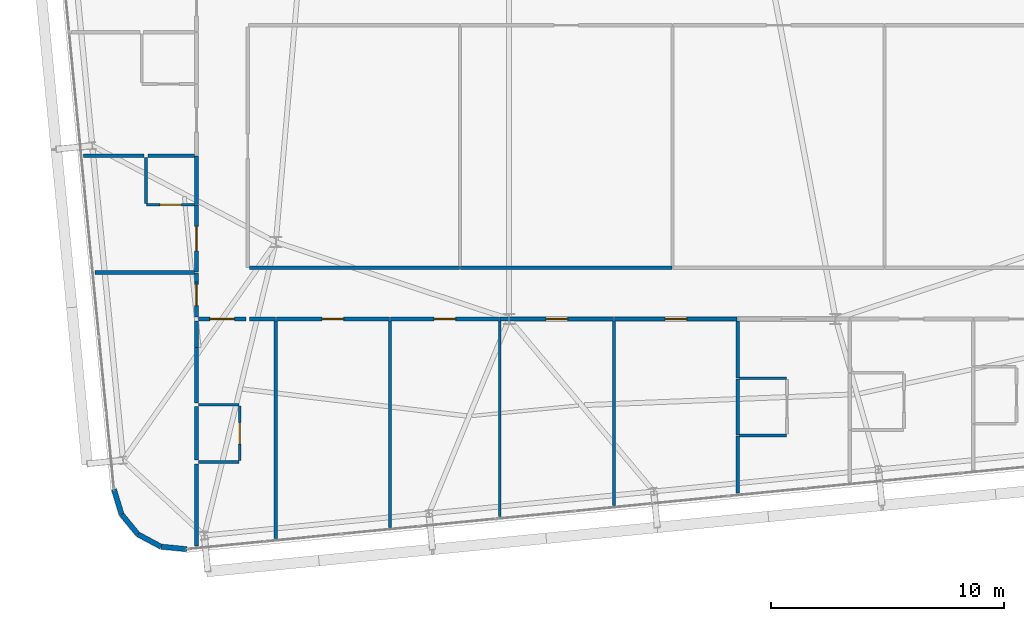
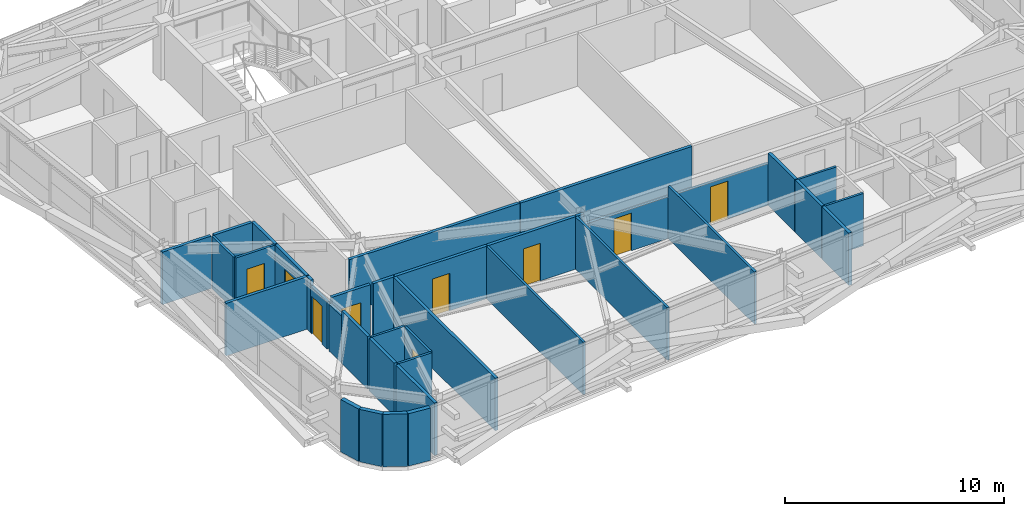
# One storey, part 46 of 53: 38 walls, 9 doors, 9 openings.
"""IFC4 building model written with IfcOpenShell, lengths in metres."""

from ifc_helpers import new_model, si_unit, direction, frame, frame_2d, origin, place, context, subcontext, project, spatial, rectangle, extrude, source, transform, mapped, material, layer, layer_set, type_object, element, fill, save


model = new_model("IFC4")

# Units and contexts
model_context = context("Model", 3, precision=1e-05, world=origin(), true_north=direction((0.0, 1.0)))
body_context = subcontext(model_context, "Body", "Model", "MODEL_VIEW")
ifc_project = project(units=[si_unit("LENGTHUNIT", "METRE"), si_unit("AREAUNIT", "SQUARE_METRE"), si_unit("VOLUMEUNIT", "CUBIC_METRE"), si_unit("PLANEANGLEUNIT", "RADIAN"), si_unit("MASSUNIT", "GRAM", prefix="KILO")], contexts=[model_context])

# Site, building, storey
site_placement = place(None, origin())
site = spatial("IfcSite", under=ifc_project, at=site_placement, CompositionType="ELEMENT")
building_placement = place(site_placement, origin())
building = spatial("IfcBuilding", under=site, at=building_placement, Name="Taldren Reach Tower", CompositionType="ELEMENT")
storey_placement = place(building_placement, frame((0.0, 0.0, 68.25)))
storey = spatial("IfcBuildingStorey", under=building, at=storey_placement, Name="L20", CompositionType="ELEMENT", Elevation=68.25)

# Walls
ifc_material_1 = material(Name="Pale Champagne Anodised Aluminium Cladding", Category="aluminium")
ifc_layer_1 = layer(ifc_material_1, 0.04, Name="Pale Champagne Anodised Aluminium Cladding", Category="aluminium")
ifc_material_2 = material(Name="Mineral Wool Acoustic Insulation", Category="insulation")
ifc_layer_2 = layer(ifc_material_2, 0.06, Name="Mineral Wool Acoustic Insulation", Category="insulation")
ifc_material_3 = material(Name="Steel Gr 350 (C350L0)", Category="steel")
ifc_layer_3 = layer(ifc_material_3, 0.12, Name="Steel Gr 350 (C350L0)", Category="steel")
ifc_layer_set_1 = layer_set([ifc_layer_1, ifc_layer_2, ifc_layer_3], Name="Pale Champagne Aluminium Cladding and Steel Gr 350 Stud Framing")
wall_type_1 = type_object("IfcWallType", Name="EW-CRN-220", PredefinedType="SOLIDWALL", material=ifc_layer_set_1)
shared_shape_1 = source(origin(), body_context, "Body", "SweptSolid", [
    extrude(rectangle(XDim=1.115966796875, YDim=0.219970703125, at=frame_2d((0.55810546875, 0.0))), origin(), (0.0, 0.0, 1.0), 2.929931640625),
])
for number, where, z_axis, x_axis, name in (
    (1, (11.062255859375, 1.90185546875, 0.0), (0.0, 0.0, 1.0), (0.289855603468, -0.957070388811, 0.0), "Rounded-corner pale-metal facade wall L20-SW1"),
    (2, (11.3857421875, 0.833740234375, 0.0), (0.0, 0.0, 1.0), (0.633988016432, -0.773342870285, 0.0), "Rounded-corner pale-metal facade wall L20-SW2"),
    (3, (13.0771484375, -0.5556640625, 0.0), (0.0, 0.0, 1.0), (0.995142755671, -0.09844234778, 0.0), "Rounded-corner pale-metal facade wall L20-SW4"),
):
    element("IfcWall", number, at=place(storey_placement, frame(where, z_axis=z_axis, x_axis=x_axis)), inside=storey, type_object=wall_type_1, Name=name, PredefinedType="SOLIDWALL", context=body_context, shape_type="MappedRepresentation", body=[
        mapped(shared_shape_1, transform((0.0, 0.0, 0.0), scale=1.0)),
    ])
shared_shape_2 = source(origin(), body_context, "Body", "SweptSolid", [
    extrude(rectangle(XDim=1.11572265625, YDim=0.219970703125, at=frame_2d((0.557861328125, 0.0))), origin(), (0.0, 0.0, 1.0), 2.929931640625),
])
wall_1_placement = place(storey_placement, frame((12.09326171875, -0.029296875, 0.0), z_axis=(0.0, 0.0, 1.0), x_axis=(0.881746547635, -0.471723463201, 0.0)))
element("IfcWall", 4, at=wall_1_placement, inside=storey, type_object=wall_type_1, Name="Rounded-corner pale-metal facade wall L20-SW3", PredefinedType="SOLIDWALL", context=body_context, shape_type="MappedRepresentation", body=[
    mapped(shared_shape_2, transform((0.0, 0.0, 0.0), scale=1.0)),
])

# Wall, opening, door
ifc_material_4 = material(Name="Fire-Rated Acoustic Plasterboard Stud Wall", Category="gypsum")
ifc_layer_4 = layer(ifc_material_4, 0.159912109375)
ifc_layer_set_2 = layer_set([ifc_layer_4], Name="Fire-Rated Acoustic Plasterboard Stud Wall")
wall_type_2 = type_object("IfcWallType", Name="IW-FIRE-160", PredefinedType="PARTITIONING", material=ifc_layer_set_2)
shared_shape_3 = source(origin(), body_context, "Body", "SweptSolid", [
    extrude(rectangle(XDim=2.0400390625, YDim=0.159912109375, at=frame_2d((1.02001953125, 0.0))), origin(), (0.0, 0.0, 1.0), 2.929931640625),
])
wall_2_placement = place(storey_placement, frame((16.719970703125, 9.199951171875, 0.0), z_axis=(0.0, 0.0, 1.0), x_axis=(-1.0, 0.0, 0.0)))
wall_2 = element("IfcWall", 5, at=wall_2_placement, inside=storey, type_object=wall_type_2, Name="Interior Partition Wall W-INT-L20-051", PredefinedType="PARTITIONING", context=body_context, shape_type="MappedRepresentation", body=[
    mapped(shared_shape_3, transform((0.0, 0.0, 0.0), scale=1.0)),
])
shared_shape_4 = source(origin(), body_context, "Body", "SweptSolid", [
    extrude(rectangle(XDim=1.050048828125, YDim=2.10009765625, at=frame_2d((0.52490234375, 1.050048828125))), frame((0.0, 0.08984375, 0.0), z_axis=(0.0, -1.0, 0.0), x_axis=(1.0, 0.0, 0.0)), (0.0, 0.0, 1.0), 0.179931640625),
])
opening_1_placement = place(wall_2_placement, frame((0.4951171875, 0.0, 0.0)))
opening_1 = element("IfcOpeningElement", 6, at=opening_1_placement, cuts=wall_2, Name="Opening DF-105", PredefinedType="OPENING", context=body_context, shape_type="MappedRepresentation", body=[
    mapped(shared_shape_4, transform((0.0, 0.0, 0.0), scale=1.0)),
])
ifc_material_5 = material(Name="Fire-Rated Care and Stair Exit Door")
door_type_1 = type_object("IfcDoorType", Name="ID-FIRE-105", OperationType="NOTDEFINED", PredefinedType="DOOR", material=ifc_material_5)
shared_shape_5 = source(origin(), body_context, "Body", "SweptSolid", [
    extrude(rectangle(XDim=1.050048828125, YDim=2.10009765625, at=frame_2d((0.52490234375, 1.050048828125))), frame((0.0, 0.02490234375, 0.0), z_axis=(0.0, -1.0, 0.0), x_axis=(1.0, 0.0, 0.0)), (0.0, 0.0, 1.0), 0.050048828125),
])
door_1_placement = place(opening_1_placement, origin())
door_1 = element("IfcDoor", 7, at=door_1_placement, inside=storey, type_object=door_type_1, Name="Interior Door DR-L20-012", OperationType="SINGLE_SWING_LEFT", OverallHeight=2.10009765625, OverallWidth=1.050048828125, PredefinedType="DOOR", context=body_context, shape_type="MappedRepresentation", body=[
    mapped(shared_shape_5, transform((0.0, 0.0, 0.0), scale=1.0)),
])
fill(opening_1, door_1)

# Wall
shared_shape_6 = source(origin(), body_context, "Body", "SweptSolid", [
    extrude(rectangle(XDim=1.099853515625, YDim=0.159912109375, at=frame_2d((0.5498046875, 0.0))), origin(), (0.0, 0.0, 1.0), 2.929931640625),
])
wall_3_placement = place(storey_placement, frame((17.979736328125, 9.199951171875, 0.0), z_axis=(0.0, 0.0, 1.0), x_axis=(-1.0, 0.0, 0.0)))
element("IfcWall", 8, at=wall_3_placement, inside=storey, type_object=wall_type_2, Name="Interior Partition Wall W-INT-L20-069", PredefinedType="PARTITIONING", context=body_context, shape_type="MappedRepresentation", body=[
    mapped(shared_shape_6, transform((0.0, 0.0, 0.0), scale=1.0)),
])

# Wall, opening, door
ifc_material_6 = material(Name="Insulated Residential Stud Partition", Category="gypsum")
ifc_layer_5 = layer(ifc_material_6, 0.1201171875)
ifc_layer_set_3 = layer_set([ifc_layer_5], Name="Insulated Residential Stud Partition")
wall_type_3 = type_object("IfcWallType", Name="IW-PART-120", PredefinedType="PARTITIONING", material=ifc_layer_set_3)
shared_shape_7 = source(origin(), body_context, "Body", "SweptSolid", [
    extrude(rectangle(XDim=2.330078125, YDim=0.1201171875, at=frame_2d((1.1650390625, 0.0))), origin(), (0.0, 0.0, 1.0), 2.929931640625),
])
wall_4_placement = place(storey_placement, frame((16.449951171875, 3.131591796875, 0.0), z_axis=(0.0, 0.0, 1.0), x_axis=(0.0, 1.0, 0.0)))
wall_4 = element("IfcWall", 9, at=wall_4_placement, inside=storey, type_object=wall_type_3, Name="Interior Partition Wall W-INT-L20-081", PredefinedType="PARTITIONING", context=body_context, shape_type="MappedRepresentation", body=[
    mapped(shared_shape_7, transform((0.0, 0.0, 0.0), scale=1.0)),
])
shared_shape_8 = source(origin(), body_context, "Body", "SweptSolid", [
    extrude(rectangle(XDim=0.919921875, YDim=2.10009765625, at=frame_2d((0.4599609375, 1.050048828125))), frame((0.0, 0.070068359375, 0.0), z_axis=(0.0, -1.0, 0.0), x_axis=(1.0, 0.0, 0.0)), (0.0, 0.0, 1.0), 0.14013671875),
])
opening_2_placement = place(wall_4_placement, frame((0.705078125, 0.0, 0.0)))
opening_2 = element("IfcOpeningElement", 10, at=opening_2_placement, cuts=wall_4, Name="Opening DI-092", PredefinedType="OPENING", context=body_context, shape_type="MappedRepresentation", body=[
    mapped(shared_shape_8, transform((0.0, 0.0, 0.0), scale=1.0)),
])
ifc_material_7 = material(Name="Solid-Core Timber Suite Door", Category="wood")
door_type_2 = type_object("IfcDoorType", Name="ID-INT-092", OperationType="NOTDEFINED", PredefinedType="DOOR", material=ifc_material_7)
shared_shape_9 = source(origin(), body_context, "Body", "SweptSolid", [
    extrude(rectangle(XDim=0.919921875, YDim=2.10009765625, at=frame_2d((0.4599609375, 1.050048828125))), frame((0.0, 0.02490234375, 0.0), z_axis=(0.0, -1.0, 0.0), x_axis=(1.0, 0.0, 0.0)), (0.0, 0.0, 1.0), 0.050048828125),
])
door_2_placement = place(opening_2_placement, origin())
door_2 = element("IfcDoor", 11, at=door_2_placement, inside=storey, type_object=door_type_2, Name="Interior Door DR-L20-030", OperationType="SINGLE_SWING_LEFT", OverallHeight=2.10009765625, OverallWidth=0.919921875, PredefinedType="DOOR", context=body_context, shape_type="MappedRepresentation", body=[
    mapped(shared_shape_9, transform((0.0, 0.0, 0.0), scale=1.0)),
])
fill(opening_2, door_2)

# Walls
shared_shape_10 = source(origin(), body_context, "Body", "SweptSolid", [
    extrude(rectangle(XDim=1.749755859375, YDim=0.1201171875, at=frame_2d((0.875, 0.0))), origin(), (0.0, 0.0, 1.0), 2.929931640625),
])
for number, where, z_axis, x_axis, name in (
    (12, (14.679931640625, 3.071533203125, 0.0), (0.0, 0.0, 1.0), (1.0, 0.0, 0.0), "Interior Partition Wall W-INT-L20-082"),
    (13, (16.4296875, 5.521484375, 0.0), (0.0, 0.0, 1.0), (-1.0, 0.0, 0.0), "Interior Partition Wall W-INT-L20-083"),
):
    element("IfcWall", number, at=place(storey_placement, frame(where, z_axis=z_axis, x_axis=x_axis)), inside=storey, type_object=wall_type_3, Name=name, PredefinedType="PARTITIONING", context=body_context, shape_type="MappedRepresentation", body=[
        mapped(shared_shape_10, transform((0.0, 0.0, 0.0), scale=1.0)),
    ])
shared_shape_11 = source(origin(), body_context, "Body", "SweptSolid", [
    extrude(rectangle(XDim=2.2900390625, YDim=0.159912109375, at=frame_2d((1.14501953125, 0.0))), origin(), (0.0, 0.0, 1.0), 2.929931640625),
])
wall_5_placement = place(storey_placement, frame((14.60009765625, 3.151611328125, 0.0), z_axis=(0.0, 0.0, 1.0), x_axis=(0.0, 1.0, 0.0)))
element("IfcWall", 14, at=wall_5_placement, inside=storey, type_object=wall_type_2, Name="Interior Partition Wall W-INT-L20-087", PredefinedType="PARTITIONING", context=body_context, shape_type="MappedRepresentation", body=[
    mapped(shared_shape_11, transform((0.0, 0.0, 0.0), scale=1.0)),
])

# Wall, opening, door
shared_shape_12 = source(origin(), body_context, "Body", "SweptSolid", [
    extrude(rectangle(XDim=4.859619140625, YDim=0.159912109375, at=frame_2d((2.4296875, 0.0))), origin(), (0.0, 0.0, 1.0), 2.929931640625),
])
wall_6_placement = place(storey_placement, frame((22.8798828125, 9.199951171875, 0.0), z_axis=(0.0, 0.0, 1.0), x_axis=(-1.0, 0.0, 0.0)))
wall_6 = element("IfcWall", 15, at=wall_6_placement, inside=storey, type_object=wall_type_2, Name="Interior Partition Wall W-INT-L20-070", PredefinedType="PARTITIONING", context=body_context, shape_type="MappedRepresentation", body=[
    mapped(shared_shape_12, transform((0.0, 0.0, 0.0), scale=1.0)),
])
shared_shape_13 = source(origin(), body_context, "Body", "SweptSolid", [
    extrude(rectangle(XDim=0.919921875, YDim=2.10009765625, at=frame_2d((0.4599609375, 1.050048828125))), frame((0.0, 0.08984375, 0.0), z_axis=(0.0, -1.0, 0.0), x_axis=(1.0, 0.0, 0.0)), (0.0, 0.0, 1.0), 0.179931640625),
])
opening_3_placement = place(wall_6_placement, frame((1.9697265625, 0.0, 0.0)))
opening_3 = element("IfcOpeningElement", 16, at=opening_3_placement, cuts=wall_6, Name="Opening DI-092", PredefinedType="OPENING", context=body_context, shape_type="MappedRepresentation", body=[
    mapped(shared_shape_13, transform((0.0, 0.0, 0.0), scale=1.0)),
])
door_3_placement = place(opening_3_placement, origin())
door_3 = element("IfcDoor", 17, at=door_3_placement, inside=storey, type_object=door_type_2, Name="Interior Door DR-L20-023", OperationType="SINGLE_SWING_RIGHT", OverallHeight=2.10009765625, OverallWidth=0.919921875, PredefinedType="DOOR", context=body_context, shape_type="MappedRepresentation", body=[
    mapped(shared_shape_9, transform((0.0, 0.0, 0.0), scale=1.0)),
])
fill(opening_3, door_3)

# Wall
shared_shape_14 = source(origin(), body_context, "Body", "SweptSolid", [
    extrude(rectangle(XDim=9.0595703125, YDim=0.159912109375, at=frame_2d((4.52978515625, 0.0))), origin(), (0.0, 0.0, 1.0), 2.929931640625),
])
wall_7_placement = place(storey_placement, frame((25.920166015625, 11.39990234375, 0.0), z_axis=(0.0, 0.0, 1.0), x_axis=(1.0, 0.0, 0.0)))
element("IfcWall", 18, at=wall_7_placement, inside=storey, type_object=wall_type_2, Name="Interior Partition Wall W-INT-L20-066", PredefinedType="PARTITIONING", context=body_context, shape_type="MappedRepresentation", body=[
    mapped(shared_shape_14, transform((0.0, 0.0, 0.0), scale=1.0)),
])

# Wall, opening, door
shared_shape_15 = source(origin(), body_context, "Body", "SweptSolid", [
    extrude(rectangle(XDim=1.509765625, YDim=0.159912109375, at=frame_2d((0.7548828125, 0.0))), origin(), (0.0, 0.0, 1.0), 2.623046875),
])
wall_8_placement = place(storey_placement, frame((14.60009765625, 9.280029296875, 0.0), z_axis=(0.0, 0.0, 1.0), x_axis=(0.0, 1.0, 0.0)))
wall_8 = element("IfcWall", 19, at=wall_8_placement, inside=storey, type_object=wall_type_2, Name="Interior Partition Wall W-INT-L20-053", PredefinedType="PARTITIONING", context=body_context, shape_type="MappedRepresentation", body=[
    mapped(shared_shape_15, transform((0.0, 0.0, 0.0), scale=1.0)),
])
opening_4_placement = place(wall_8_placement, frame((0.489990234375, 0.0, 0.0)))
opening_4 = element("IfcOpeningElement", 20, at=opening_4_placement, cuts=wall_8, Name="Opening DI-092", PredefinedType="OPENING", context=body_context, shape_type="MappedRepresentation", body=[
    mapped(shared_shape_13, transform((0.0, 0.0, 0.0), scale=1.0)),
])
door_4_placement = place(opening_4_placement, origin())
door_4 = element("IfcDoor", 21, at=door_4_placement, inside=storey, type_object=door_type_2, Name="Interior Door DR-L20-014", OperationType="SINGLE_SWING_LEFT", OverallHeight=2.10009765625, OverallWidth=0.919921875, PredefinedType="DOOR", context=body_context, shape_type="MappedRepresentation", body=[
    mapped(shared_shape_9, transform((0.0, 0.0, 0.0), scale=1.0)),
])
fill(opening_4, door_4)

# Wall
shared_shape_16 = source(origin(), body_context, "Body", "SweptSolid", [
    extrude(rectangle(XDim=0.389892578125, YDim=0.159912109375, at=frame_2d((0.19482421875, 0.0))), origin(), (0.0, 0.0, 1.0), 2.929931640625),
])
wall_9_placement = place(storey_placement, frame((14.60009765625, 10.789794921875, 0.0), z_axis=(0.0, 0.0, 1.0), x_axis=(0.0, 1.0, 0.0)))
element("IfcWall", 22, at=wall_9_placement, inside=storey, type_object=wall_type_2, Name="Interior Partition Wall W-INT-L20-053 part 2", PredefinedType="PARTITIONING", context=body_context, shape_type="MappedRepresentation", body=[
    mapped(shared_shape_16, transform((0.0, 0.0, 0.0), scale=1.0)),
])

# Wall, opening, door
shared_shape_17 = source(origin(), body_context, "Body", "SweptSolid", [
    extrude(rectangle(XDim=2.859619140625, YDim=0.159912109375, at=frame_2d((1.4296875, 0.0))), origin(), (0.0, 0.0, 1.0), 2.929931640625),
])
wall_10_placement = place(storey_placement, frame((14.60009765625, 11.22021484375, 0.0), z_axis=(0.0, 0.0, 1.0), x_axis=(0.0, 1.0, 0.0)))
wall_10 = element("IfcWall", 23, at=wall_10_placement, inside=storey, type_object=wall_type_2, Name="Interior Partition Wall W-INT-L20-054", PredefinedType="PARTITIONING", context=body_context, shape_type="MappedRepresentation", body=[
    mapped(shared_shape_17, transform((0.0, 0.0, 0.0), scale=1.0)),
])
opening_5_placement = place(wall_10_placement, frame((0.90478515625, 0.0, 0.0)))
opening_5 = element("IfcOpeningElement", 24, at=opening_5_placement, cuts=wall_10, Name="Opening DF-105", PredefinedType="OPENING", context=body_context, shape_type="MappedRepresentation", body=[
    mapped(shared_shape_4, transform((0.0, 0.0, 0.0), scale=1.0)),
])
door_5_placement = place(opening_5_placement, origin())
door_5 = element("IfcDoor", 25, at=door_5_placement, inside=storey, type_object=door_type_1, Name="Interior Door DR-L20-015", OperationType="SINGLE_SWING_RIGHT", OverallHeight=2.10009765625, OverallWidth=1.050048828125, PredefinedType="DOOR", context=body_context, shape_type="MappedRepresentation", body=[
    mapped(shared_shape_5, transform((0.0, 0.0, 0.0), scale=1.0)),
])
fill(opening_5, door_5)

# Walls
shared_shape_18 = source(origin(), body_context, "Body", "SweptSolid", [
    extrude(rectangle(XDim=2.0595703125, YDim=0.159912109375, at=frame_2d((1.02978515625, 0.0))), origin(), (0.0, 0.0, 1.0), 2.929931640625),
])
wall_11_placement = place(storey_placement, frame((14.60009765625, 14.1201171875, 0.0), z_axis=(0.0, 0.0, 1.0), x_axis=(0.0, 1.0, 0.0)))
element("IfcWall", 26, at=wall_11_placement, inside=storey, type_object=wall_type_2, Name="Interior Partition Wall W-INT-L20-055", PredefinedType="PARTITIONING", context=body_context, shape_type="MappedRepresentation", body=[
    mapped(shared_shape_18, transform((0.0, 0.0, 0.0), scale=1.0)),
])
shared_shape_19 = source(origin(), body_context, "Body", "SweptSolid", [
    extrude(rectangle(XDim=9.0, YDim=0.159912109375, at=frame_2d((4.5, 0.0))), origin(), (0.0, 0.0, 1.0), 2.929931640625),
])
wall_12_placement = place(storey_placement, frame((16.8798828125, 11.39990234375, 0.0), z_axis=(0.0, 0.0, 1.0), x_axis=(1.0, 0.0, 0.0)))
element("IfcWall", 27, at=wall_12_placement, inside=storey, type_object=wall_type_2, Name="Interior Partition Wall W-INT-L20-065", PredefinedType="PARTITIONING", context=body_context, shape_type="MappedRepresentation", body=[
    mapped(shared_shape_19, transform((0.0, 0.0, 0.0), scale=1.0)),
])

# Wall, opening, door
shared_shape_20 = source(origin(), body_context, "Body", "SweptSolid", [
    extrude(rectangle(XDim=4.65966796875, YDim=0.159912109375, at=frame_2d((2.329833984375, 0.0))), origin(), (0.0, 0.0, 1.0), 2.929931640625),
])
wall_13_placement = place(storey_placement, frame((27.579833984375, 9.199951171875, 0.0), z_axis=(0.0, 0.0, 1.0), x_axis=(-1.0, 0.0, 0.0)))
wall_13 = element("IfcWall", 28, at=wall_13_placement, inside=storey, type_object=wall_type_2, Name="Interior Partition Wall W-INT-L20-071", PredefinedType="PARTITIONING", context=body_context, shape_type="MappedRepresentation", body=[
    mapped(shared_shape_20, transform((0.0, 0.0, 0.0), scale=1.0)),
])
opening_6_placement = place(wall_13_placement, frame((1.869873046875, 0.0, 0.0)))
opening_6 = element("IfcOpeningElement", 29, at=opening_6_placement, cuts=wall_13, Name="Opening DI-092", PredefinedType="OPENING", context=body_context, shape_type="MappedRepresentation", body=[
    mapped(shared_shape_13, transform((0.0, 0.0, 0.0), scale=1.0)),
])
door_6_placement = place(opening_6_placement, origin())
door_6 = element("IfcDoor", 30, at=door_6_placement, inside=storey, type_object=door_type_2, Name="Interior Door DR-L20-024", OperationType="SINGLE_SWING_LEFT", OverallHeight=2.10009765625, OverallWidth=0.919921875, PredefinedType="DOOR", context=body_context, shape_type="MappedRepresentation", body=[
    mapped(shared_shape_9, transform((0.0, 0.0, 0.0), scale=1.0)),
])
fill(opening_6, door_6)

shared_shape_21 = source(origin(), body_context, "Body", "SweptSolid", [
    extrude(rectangle(XDim=4.479736328125, YDim=0.159912109375, at=frame_2d((2.23974609375, 0.0))), origin(), (0.0, 0.0, 1.0), 2.327880859375),
])
wall_14_placement = place(storey_placement, frame((32.479736328125, 9.199951171875, 0.0), z_axis=(0.0, 0.0, 1.0), x_axis=(-1.0, 0.0, 0.0)))
wall_14 = element("IfcWall", 31, at=wall_14_placement, inside=storey, type_object=wall_type_2, Name="Interior Partition Wall W-INT-L20-072", PredefinedType="PARTITIONING", context=body_context, shape_type="MappedRepresentation", body=[
    mapped(shared_shape_21, transform((0.0, 0.0, 0.0), scale=1.0)),
])
opening_7_placement = place(wall_14_placement, frame((1.9697265625, 0.0, 0.0)))
opening_7 = element("IfcOpeningElement", 32, at=opening_7_placement, cuts=wall_14, Name="Opening DI-092", PredefinedType="OPENING", context=body_context, shape_type="MappedRepresentation", body=[
    mapped(shared_shape_13, transform((0.0, 0.0, 0.0), scale=1.0)),
])
door_7_placement = place(opening_7_placement, origin())
door_7 = element("IfcDoor", 33, at=door_7_placement, inside=storey, type_object=door_type_2, Name="Interior Door DR-L20-025", OperationType="SINGLE_SWING_RIGHT", OverallHeight=2.10009765625, OverallWidth=0.919921875, PredefinedType="DOOR", context=body_context, shape_type="MappedRepresentation", body=[
    mapped(shared_shape_9, transform((0.0, 0.0, 0.0), scale=1.0)),
])
fill(opening_7, door_7)

# Wall
shared_shape_22 = source(origin(), body_context, "Body", "SweptSolid", [
    extrude(rectangle(XDim=0.3798828125, YDim=0.159912109375, at=frame_2d((0.18994140625, 0.0))), origin(), (0.0, 0.0, 1.0), 2.929931640625),
])
wall_15_placement = place(storey_placement, frame((28.0, 9.199951171875, 0.0), z_axis=(0.0, 0.0, 1.0), x_axis=(-1.0, 0.0, 0.0)))
element("IfcWall", 34, at=wall_15_placement, inside=storey, type_object=wall_type_2, Name="Interior Partition Wall W-INT-L20-072 part 2", PredefinedType="PARTITIONING", context=body_context, shape_type="MappedRepresentation", body=[
    mapped(shared_shape_22, transform((0.0, 0.0, 0.0), scale=1.0)),
])

# Wall, opening, door
shared_shape_23 = source(origin(), body_context, "Body", "SweptSolid", [
    extrude(rectangle(XDim=5.259521484375, YDim=0.159912109375, at=frame_2d((2.6298828125, 0.0))), origin(), (0.0, 0.0, 1.0), 2.327880859375),
])
wall_16_placement = place(storey_placement, frame((37.77978515625, 9.199951171875, 0.0), z_axis=(0.0, 0.0, 1.0), x_axis=(-1.0, 0.0, 0.0)))
wall_16 = element("IfcWall", 35, at=wall_16_placement, inside=storey, type_object=wall_type_2, Name="Interior Partition Wall W-INT-L20-073", PredefinedType="PARTITIONING", context=body_context, shape_type="MappedRepresentation", body=[
    mapped(shared_shape_23, transform((0.0, 0.0, 0.0), scale=1.0)),
])
opening_8_placement = place(wall_16_placement, frame((2.169921875, 0.0, 0.0)))
opening_8 = element("IfcOpeningElement", 36, at=opening_8_placement, cuts=wall_16, Name="Opening DI-092", PredefinedType="OPENING", context=body_context, shape_type="MappedRepresentation", body=[
    mapped(shared_shape_13, transform((0.0, 0.0, 0.0), scale=1.0)),
])
door_8_placement = place(opening_8_placement, origin())
door_8 = element("IfcDoor", 37, at=door_8_placement, inside=storey, type_object=door_type_2, Name="Interior Door DR-L20-026", OperationType="SINGLE_SWING_LEFT", OverallHeight=2.10009765625, OverallWidth=0.919921875, PredefinedType="DOOR", context=body_context, shape_type="MappedRepresentation", body=[
    mapped(shared_shape_9, transform((0.0, 0.0, 0.0), scale=1.0)),
])
fill(opening_8, door_8)

# Walls
shared_shape_24 = source(origin(), body_context, "Body", "SweptSolid", [
    extrude(rectangle(XDim=9.3251953125, YDim=0.159912109375, at=frame_2d((4.66259765625, 0.0))), origin(), (0.0, 0.0, 1.0), 2.929931640625),
])
wall_17_placement = place(storey_placement, frame((18.0, 9.117919921875, 0.0), z_axis=(0.0, 0.0, 1.0), x_axis=(0.0, -1.0, 0.0)))
element("IfcWall", 38, at=wall_17_placement, inside=storey, type_object=wall_type_2, Name="Interior Partition Wall W-INT-L20-084", PredefinedType="PARTITIONING", context=body_context, shape_type="MappedRepresentation", body=[
    mapped(shared_shape_24, transform((0.0, 0.0, 0.0), scale=1.0)),
])
shared_shape_25 = source(origin(), body_context, "Body", "SweptSolid", [
    extrude(rectangle(XDim=3.5166015625, YDim=0.159912109375, at=frame_2d((1.75830078125, 0.0))), origin(), (0.0, 0.0, 1.0), 2.929931640625),
])
wall_18_placement = place(storey_placement, frame((14.60009765625, -0.52490234375, 0.0), z_axis=(0.0, 0.0, 1.0), x_axis=(0.0, 1.0, 0.0)))
element("IfcWall", 39, at=wall_18_placement, inside=storey, type_object=wall_type_2, Name="Interior Partition Wall W-INT-L20-085", PredefinedType="PARTITIONING", context=body_context, shape_type="MappedRepresentation", body=[
    mapped(shared_shape_25, transform((0.0, 0.0, 0.0), scale=1.0)),
])
shared_shape_26 = source(origin(), body_context, "Body", "SweptSolid", [
    extrude(rectangle(XDim=2.373046875, YDim=0.159912109375, at=frame_2d((1.1865234375, 0.0))), origin(), (0.0, 0.0, 1.0), 2.929931640625),
])
wall_19_placement = place(storey_placement, frame((14.60009765625, 5.6015625, 0.0), z_axis=(0.0, 0.0, 1.0), x_axis=(0.0, 1.0, 0.0)))
element("IfcWall", 40, at=wall_19_placement, inside=storey, type_object=wall_type_2, Name="Interior Partition Wall W-INT-L20-086", PredefinedType="PARTITIONING", context=body_context, shape_type="MappedRepresentation", body=[
    mapped(shared_shape_26, transform((0.0, 0.0, 0.0), scale=1.0)),
])
shared_shape_27 = source(origin(), body_context, "Body", "SweptSolid", [
    extrude(rectangle(XDim=1.143310546875, YDim=0.159912109375, at=frame_2d((0.57177734375, 0.0))), origin(), (0.0, 0.0, 1.0), 2.623046875),
])
wall_20_placement = place(storey_placement, frame((14.60009765625, 7.974609375, 0.0), z_axis=(0.0, 0.0, 1.0), x_axis=(0.0, 1.0, 0.0)))
element("IfcWall", 41, at=wall_20_placement, inside=storey, type_object=wall_type_2, Name="Interior Partition Wall W-INT-L20-086 part 2", PredefinedType="PARTITIONING", context=body_context, shape_type="MappedRepresentation", body=[
    mapped(shared_shape_27, transform((0.0, 0.0, 0.0), scale=1.0)),
])
shared_shape_28 = source(origin(), body_context, "Body", "SweptSolid", [
    extrude(rectangle(XDim=8.848876953125, YDim=0.1201171875, at=frame_2d((4.42431640625, 0.0))), origin(), (0.0, 0.0, 1.0), 2.929931640625),
])
wall_21_placement = place(storey_placement, frame((22.89990234375, 9.1201171875, 0.0), z_axis=(0.0, 0.0, 1.0), x_axis=(0.0, -1.0, 0.0)))
element("IfcWall", 42, at=wall_21_placement, inside=storey, type_object=wall_type_3, Name="Interior Partition Wall W-INT-L20-088", PredefinedType="PARTITIONING", context=body_context, shape_type="MappedRepresentation", body=[
    mapped(shared_shape_28, transform((0.0, 0.0, 0.0), scale=1.0)),
])
shared_shape_29 = source(origin(), body_context, "Body", "SweptSolid", [
    extrude(rectangle(XDim=8.387939453125, YDim=0.1201171875, at=frame_2d((4.19384765625, 0.0))), origin(), (0.0, 0.0, 1.0), 2.929931640625),
])
wall_22_placement = place(storey_placement, frame((27.60009765625, 9.1201171875, 0.0), z_axis=(0.0, 0.0, 1.0), x_axis=(0.0, -1.0, 0.0)))
element("IfcWall", 43, at=wall_22_placement, inside=storey, type_object=wall_type_3, Name="Interior Partition Wall W-INT-L20-089", PredefinedType="PARTITIONING", context=body_context, shape_type="MappedRepresentation", body=[
    mapped(shared_shape_29, transform((0.0, 0.0, 0.0), scale=1.0)),
])
shared_shape_30 = source(origin(), body_context, "Body", "SweptSolid", [
    extrude(rectangle(XDim=7.907470703125, YDim=0.1201171875, at=frame_2d((3.95361328125, 0.0))), origin(), (0.0, 0.0, 1.0), 2.929931640625),
])
wall_23_placement = place(storey_placement, frame((32.5, 9.1201171875, 0.0), z_axis=(0.0, 0.0, 1.0), x_axis=(0.0, -1.0, 0.0)))
element("IfcWall", 44, at=wall_23_placement, inside=storey, type_object=wall_type_3, Name="Interior Partition Wall W-INT-L20-090", PredefinedType="PARTITIONING", context=body_context, shape_type="MappedRepresentation", body=[
    mapped(shared_shape_30, transform((0.0, 0.0, 0.0), scale=1.0)),
])
shared_shape_31 = source(origin(), body_context, "Body", "SweptSolid", [
    extrude(rectangle(XDim=2.456298828125, YDim=0.159912109375, at=frame_2d((1.22802734375, 0.0))), origin(), (0.0, 0.0, 1.0), 2.929931640625),
])
wall_24_placement = place(storey_placement, frame((37.800048828125, 4.188720703125, 0.0), z_axis=(0.0, 0.0, 1.0), x_axis=(0.0, -1.0, 0.0)))
element("IfcWall", 45, at=wall_24_placement, inside=storey, type_object=wall_type_2, Name="Interior Partition Wall W-INT-L20-091", PredefinedType="PARTITIONING", context=body_context, shape_type="MappedRepresentation", body=[
    mapped(shared_shape_31, transform((0.0, 0.0, 0.0), scale=1.0)),
])
shared_shape_32 = source(origin(), body_context, "Body", "SweptSolid", [
    extrude(rectangle(XDim=2.44091796875, YDim=0.159912109375, at=frame_2d((1.220458984375, 0.0))), origin(), (0.0, 0.0, 1.0), 2.929931640625),
])
wall_25_placement = place(storey_placement, frame((37.800048828125, 9.1201171875, 0.0), z_axis=(0.0, 0.0, 1.0), x_axis=(0.0, -1.0, 0.0)))
element("IfcWall", 46, at=wall_25_placement, inside=storey, type_object=wall_type_2, Name="Interior Partition Wall W-INT-L20-092", PredefinedType="PARTITIONING", context=body_context, shape_type="MappedRepresentation", body=[
    mapped(shared_shape_32, transform((0.0, 0.0, 0.0), scale=1.0)),
])
shared_shape_33 = source(origin(), body_context, "Body", "SweptSolid", [
    extrude(rectangle(XDim=2.409912109375, YDim=0.159912109375, at=frame_2d((1.205078125, 0.0))), origin(), (0.0, 0.0, 1.0), 2.929931640625),
])
wall_26_placement = place(storey_placement, frame((37.800048828125, 6.638916015625, 0.0), z_axis=(0.0, 0.0, 1.0), x_axis=(0.0, -1.0, 0.0)))
element("IfcWall", 47, at=wall_26_placement, inside=storey, type_object=wall_type_2, Name="Interior Partition Wall W-INT-L20-093", PredefinedType="PARTITIONING", context=body_context, shape_type="MappedRepresentation", body=[
    mapped(shared_shape_33, transform((0.0, 0.0, 0.0), scale=1.0)),
])
shared_shape_34 = source(origin(), body_context, "Body", "SweptSolid", [
    extrude(rectangle(XDim=2.011962890625, YDim=0.1201171875, at=frame_2d((1.005859375, 0.0))), origin(), (0.0, 0.0, 1.0), 2.929931640625),
])
for number, where, z_axis, x_axis, name in (
    (48, (37.8798828125, 4.208984375, 0.0), (0.0, 0.0, 1.0), (1.0, 0.0, 0.0), "Interior Partition Wall W-INT-L20-095"),
    (49, (39.891845703125, 6.658935546875, 0.0), (0.0, 0.0, 1.0), (-1.0, 0.0, 0.0), "Interior Partition Wall W-INT-L20-096"),
):
    element("IfcWall", number, at=place(storey_placement, frame(where, z_axis=z_axis, x_axis=x_axis)), inside=storey, type_object=wall_type_3, Name=name, PredefinedType="PARTITIONING", context=body_context, shape_type="MappedRepresentation", body=[
        mapped(shared_shape_34, transform((0.0, 0.0, 0.0), scale=1.0)),
    ])
shared_shape_35 = source(origin(), body_context, "Body", "SweptSolid", [
    extrude(rectangle(XDim=4.271240234375, YDim=0.159912109375, at=frame_2d((2.1357421875, 0.0))), origin(), (0.0, 0.0, 1.0), 2.929931640625),
])
wall_27_placement = place(storey_placement, frame((10.248779296875, 11.199951171875, 0.0), z_axis=(0.0, 0.0, 1.0), x_axis=(1.0, 0.0, 0.0)))
element("IfcWall", 50, at=wall_27_placement, inside=storey, type_object=wall_type_2, Name="Interior Partition Wall W-INT-L20-114", PredefinedType="PARTITIONING", context=body_context, shape_type="MappedRepresentation", body=[
    mapped(shared_shape_35, transform((0.0, 0.0, 0.0), scale=1.0)),
])

# Wall, opening, door
shared_shape_36 = source(origin(), body_context, "Body", "SweptSolid", [
    extrude(rectangle(XDim=2.065185546875, YDim=0.1201171875, at=frame_2d((1.03271484375, 0.0))), origin(), (0.0, 0.0, 1.0), 2.929931640625),
])
wall_28_placement = place(storey_placement, frame((12.454833984375, 14.10009765625, 0.0), z_axis=(0.0, 0.0, 1.0), x_axis=(1.0, 0.0, 0.0)))
wall_28 = element("IfcWall", 51, at=wall_28_placement, inside=storey, type_object=wall_type_3, Name="Interior Partition Wall W-INT-L20-115", PredefinedType="PARTITIONING", context=body_context, shape_type="MappedRepresentation", body=[
    mapped(shared_shape_36, transform((0.0, 0.0, 0.0), scale=1.0)),
])
opening_9_placement = place(wall_28_placement, frame((0.572509765625, 0.0, 0.0)))
opening_9 = element("IfcOpeningElement", 52, at=opening_9_placement, cuts=wall_28, Name="Opening DI-092", PredefinedType="OPENING", context=body_context, shape_type="MappedRepresentation", body=[
    mapped(shared_shape_8, transform((0.0, 0.0, 0.0), scale=1.0)),
])
door_9_placement = place(opening_9_placement, origin())
door_9 = element("IfcDoor", 53, at=door_9_placement, inside=storey, type_object=door_type_2, Name="Interior Door DR-L20-035", OperationType="SINGLE_SWING_RIGHT", OverallHeight=2.10009765625, OverallWidth=0.919921875, PredefinedType="DOOR", context=body_context, shape_type="MappedRepresentation", body=[
    mapped(shared_shape_9, transform((0.0, 0.0, 0.0), scale=1.0)),
])
fill(opening_9, door_9)

# Walls
shared_shape_37 = source(origin(), body_context, "Body", "SweptSolid", [
    extrude(rectangle(XDim=1.960205078125, YDim=0.1201171875, at=frame_2d((0.97998046875, 0.0))), origin(), (0.0, 0.0, 1.0), 2.929931640625),
])
wall_29_placement = place(storey_placement, frame((12.4345703125, 16.1201171875, 0.0), z_axis=(0.0, 0.0, 1.0), x_axis=(0.0, -1.0, 0.0)))
element("IfcWall", 54, at=wall_29_placement, inside=storey, type_object=wall_type_3, Name="Interior Partition Wall W-INT-L20-116", PredefinedType="PARTITIONING", context=body_context, shape_type="MappedRepresentation", body=[
    mapped(shared_shape_37, transform((0.0, 0.0, 0.0), scale=1.0)),
])
shared_shape_38 = source(origin(), body_context, "Body", "SweptSolid", [
    extrude(rectangle(XDim=2.593994140625, YDim=0.159912109375, at=frame_2d((1.296875, 0.0))), origin(), (0.0, 0.0, 1.0), 2.929931640625),
])
wall_30_placement = place(storey_placement, frame((9.760498046875, 16.199951171875, 0.0), z_axis=(0.0, 0.0, 1.0), x_axis=(1.0, 0.0, 0.0)))
element("IfcWall", 55, at=wall_30_placement, inside=storey, type_object=wall_type_2, Name="Interior Partition Wall W-INT-L20-117", PredefinedType="PARTITIONING", context=body_context, shape_type="MappedRepresentation", body=[
    mapped(shared_shape_38, transform((0.0, 0.0, 0.0), scale=1.0)),
])
shared_shape_39 = source(origin(), body_context, "Body", "SweptSolid", [
    extrude(rectangle(XDim=2.00341796875, YDim=0.159912109375, at=frame_2d((1.001708984375, 0.0))), origin(), (0.0, 0.0, 1.0), 2.929931640625),
])
wall_31_placement = place(storey_placement, frame((12.5146484375, 16.199951171875, 0.0), z_axis=(0.0, 0.0, 1.0), x_axis=(1.0, 0.0, 0.0)))
element("IfcWall", 56, at=wall_31_placement, inside=storey, type_object=wall_type_2, Name="Interior Partition Wall W-INT-L20-118", PredefinedType="PARTITIONING", context=body_context, shape_type="MappedRepresentation", body=[
    mapped(shared_shape_39, transform((0.0, 0.0, 0.0), scale=1.0)),
])

save(model, "model.ifc")
